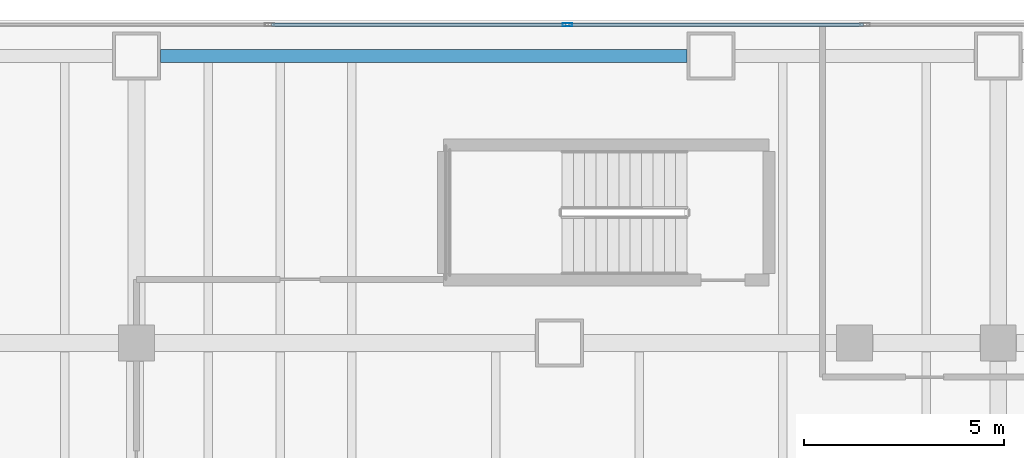
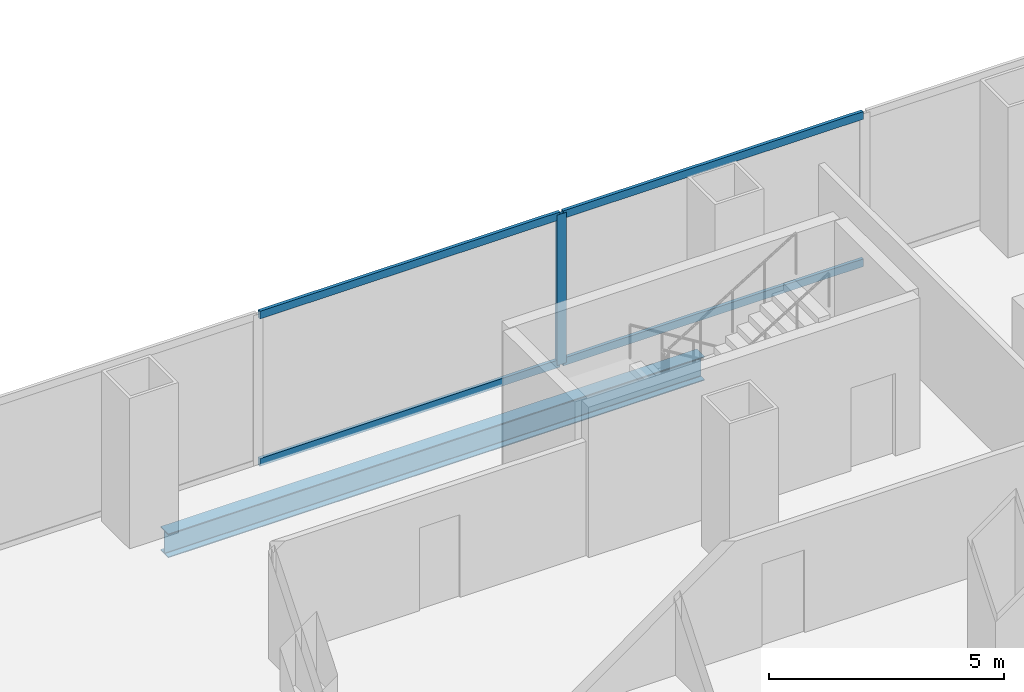
# One storey, part 12 of 29: 5 members, 1 beam, 1 element without a shape of its own.
"""IFC4 building model written with IfcOpenShell, lengths in metres."""

from ifc_helpers import new_model, si_unit, direction, frame, origin, origin_2d, place, context, subcontext, project, spatial, hollow_rectangle, i_section, extrude, material, material_profile, profile_set, type_object, element, aggregate, save


model = new_model("IFC4")

# Units and contexts
model_context = context("Model", 3, precision=1e-05, world=origin(), true_north=direction((0.0, 1.0)))
body_context = subcontext(model_context, "Body", "Model", "MODEL_VIEW")
ifc_project = project(units=[si_unit("LENGTHUNIT", "METRE"), si_unit("AREAUNIT", "SQUARE_METRE"), si_unit("VOLUMEUNIT", "CUBIC_METRE"), si_unit("PLANEANGLEUNIT", "RADIAN"), si_unit("MASSUNIT", "GRAM", prefix="KILO")], contexts=[model_context])

# Site, building, storey
site_placement = place(None, origin())
site = spatial("IfcSite", under=ifc_project, at=site_placement, CompositionType="ELEMENT")
building_placement = place(site_placement, origin())
building = spatial("IfcBuilding", under=site, at=building_placement, Name="Cobrela Telecom Tower", CompositionType="ELEMENT")
storey_placement = place(building_placement, frame((0.0, 0.0, 13.64990234375)))
storey = spatial("IfcBuildingStorey", under=building, at=storey_placement, Name="L03", CompositionType="ELEMENT", Elevation=13.64990234375)

# Beam
ifc_material_1 = material(Name="Steel ASTM A992 Grade 50", Category="steel")
ifc_material_profile_1 = material_profile(ifc_material_1, i_section(OverallWidth=0.327880859375, OverallDepth=0.6220703125, WebThickness=0.015380859375, FlangeThickness=0.0244140625, FilletRadius=0.014892578125, at=origin_2d()), Name="W24X131")
ifc_profile_set_1 = profile_set([ifc_material_profile_1], Name="Steel ASTM A992 Grade 50")
beam_type = type_object("IfcBeamType", Name="BM-SPAND-01", PredefinedType="SPANDREL", material=ifc_profile_set_1)
beam_placement = place(storey_placement, frame((15.0048828125, 49.5, -0.61083984375), z_axis=(1.0, 0.0, 0.0), x_axis=(0.0, 1.0, 0.0)))
element("IfcBeam", 1, at=beam_placement, inside=storey, type_object=beam_type, Name="L03 Perimeter Spandrel X53", PredefinedType="SPANDREL", context=body_context, shape_type="SweptSolid", body=[
    extrude(i_section(OverallWidth=0.327880859375, OverallDepth=0.6220703125, WebThickness=0.015380859375, FlangeThickness=0.0244140625, FilletRadius=0.014892578125, at=origin_2d()), origin(), (0.0, 0.0, 1.0), 13.190185546875),
])

# Curtain wall, members
ifc_material_2 = material(Name="Anodized Bronze Aluminium 6063-T6", Category="aluminium")
curtain_wall_type = type_object("IfcCurtainWallType", Name="CW-SYS-CONC", PredefinedType="USERDEFINED", material=ifc_material_2)
curtain_wall_placement = place(storey_placement, origin())
curtain_wall = element("IfcCurtainWall", 2, at=curtain_wall_placement, inside=storey, type_object=curtain_wall_type, Name="L03 Unitised Bronze Curtain Wall 07", ObjectType="UNITISED CURTAIN WALL", PredefinedType="USERDEFINED")
ifc_material_profile_2 = material_profile(ifc_material_2, hollow_rectangle(XDim=0.080078125, YDim=0.239990234375, WallThickness=0.0048828125, at=origin_2d()), Name="ALU 80x240x5")
ifc_profile_set_2 = profile_set([ifc_material_profile_2], Name="Anodized Bronze Aluminium 6063-T6")
member_type_1 = type_object("IfcMemberType", Name="CW-SYS-CONC-MUL", PredefinedType="MULLION", material=ifc_profile_set_2)
member_1_placement = place(storey_placement, frame((25.199951171875, 50.280029296875, 0.0), z_axis=(0.0, 0.0, 1.0), x_axis=(0.0, 1.0, 0.0)))
member_1 = element("IfcMember", 3, at=member_1_placement, type_object=member_type_1, Name="CW-CONC mullion 4", PredefinedType="MULLION", context=body_context, shape_type="SweptSolid", body=[
    extrude(hollow_rectangle(XDim=0.080078125, YDim=0.239990234375, WallThickness=0.0048828125, at=origin_2d()), origin(), (0.0, 0.0, 1.0), 3.91015625),
])
ifc_material_profile_3 = material_profile(ifc_material_2, hollow_rectangle(XDim=0.080078125, YDim=0.199951171875, WallThickness=0.00390625, at=origin_2d()), Name="ALU 80x200x4")
ifc_profile_set_3 = profile_set([ifc_material_profile_3], Name="Anodized Bronze Aluminium 6063-T6")
member_type_2 = type_object("IfcMemberType", Name="CW-SYS-CONC-TRN", PredefinedType="USERDEFINED", material=ifc_profile_set_3)
member_2_placement = place(storey_placement, frame((17.780029296875, 50.280029296875, 0.0400390625), z_axis=(1.0, 0.0, 0.0), x_axis=(0.0, 1.0, 0.0)))
member_2 = element("IfcMember", 4, at=member_2_placement, type_object=member_type_2, Name="CW-CONC transom 3.1", ObjectType="TRANSOM", PredefinedType="USERDEFINED", context=body_context, shape_type="SweptSolid", body=[
    extrude(hollow_rectangle(XDim=0.080078125, YDim=0.199951171875, WallThickness=0.00390625, at=origin_2d()), origin(), (0.0, 0.0, 1.0), 7.3798828125),
])
member_3_placement = place(storey_placement, frame((17.780029296875, 50.280029296875, 3.8701171875), z_axis=(1.0, 0.0, 0.0), x_axis=(0.0, 1.0, 0.0)))
member_3 = element("IfcMember", 5, at=member_3_placement, type_object=member_type_2, Name="CW-CONC transom 3.2", ObjectType="TRANSOM", PredefinedType="USERDEFINED", context=body_context, shape_type="SweptSolid", body=[
    extrude(hollow_rectangle(XDim=0.080078125, YDim=0.199951171875, WallThickness=0.00390625, at=origin_2d()), origin(), (0.0, 0.0, 1.0), 7.3798828125),
])
member_4_placement = place(storey_placement, frame((25.239990234375, 50.280029296875, 0.0400390625), z_axis=(1.0, 0.0, 0.0), x_axis=(0.0, 1.0, 0.0)))
member_4 = element("IfcMember", 6, at=member_4_placement, type_object=member_type_2, Name="CW-CONC transom 4.1", ObjectType="TRANSOM", PredefinedType="USERDEFINED", context=body_context, shape_type="SweptSolid", body=[
    extrude(hollow_rectangle(XDim=0.080078125, YDim=0.199951171875, WallThickness=0.00390625, at=origin_2d()), origin(), (0.0, 0.0, 1.0), 7.380126953125),
])
member_5_placement = place(storey_placement, frame((25.239990234375, 50.280029296875, 3.8701171875), z_axis=(1.0, 0.0, 0.0), x_axis=(0.0, 1.0, 0.0)))
member_5 = element("IfcMember", 7, at=member_5_placement, type_object=member_type_2, Name="CW-CONC transom 4.2", ObjectType="TRANSOM", PredefinedType="USERDEFINED", context=body_context, shape_type="SweptSolid", body=[
    extrude(hollow_rectangle(XDim=0.080078125, YDim=0.199951171875, WallThickness=0.00390625, at=origin_2d()), origin(), (0.0, 0.0, 1.0), 7.380126953125),
])
aggregate(curtain_wall, [member_1, member_2, member_3, member_4, member_5])

save(model, "model.ifc")
